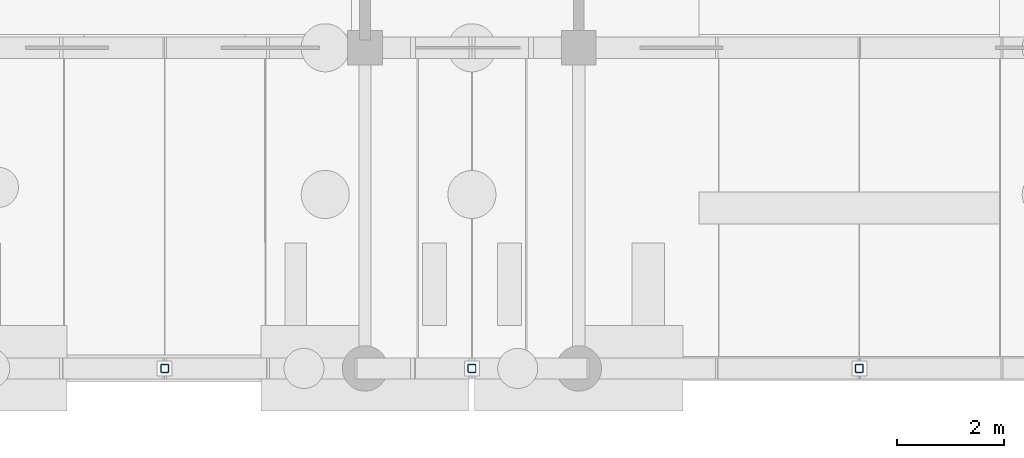
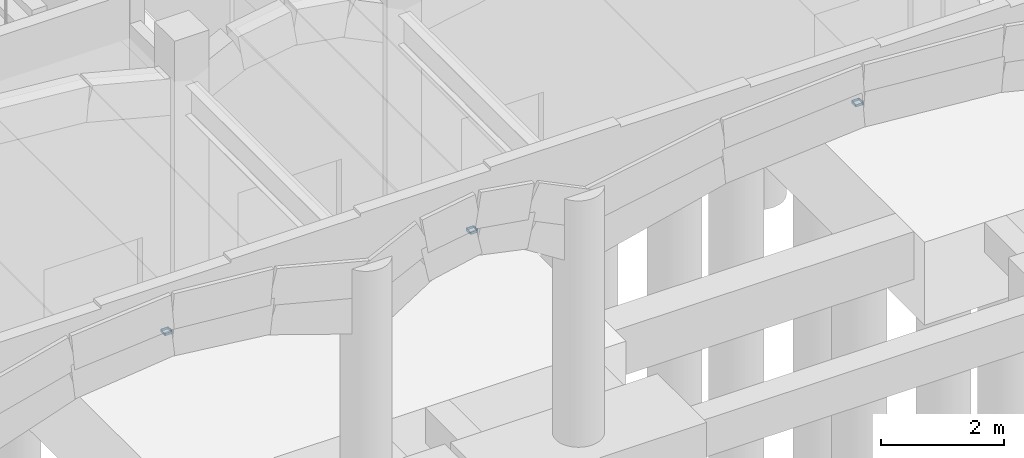
# One storey, part 21 of 60: 3 members.
"""IFC4 building model written with IfcOpenShell, lengths in metres."""

from ifc_helpers import new_model, si_unit, direction, frame, origin, origin_2d, place, context, subcontext, project, spatial, hollow_rectangle, extrude, material, material_profile, profile_set, type_object, element, save


model = new_model("IFC4")

# Units and contexts
model_context = context("Model", 3, precision=1e-05, world=origin(), true_north=direction((0.0, 1.0)))
body_context = subcontext(model_context, "Body", "Model", "MODEL_VIEW")
ifc_project = project(units=[si_unit("LENGTHUNIT", "METRE"), si_unit("AREAUNIT", "SQUARE_METRE"), si_unit("VOLUMEUNIT", "CUBIC_METRE"), si_unit("PLANEANGLEUNIT", "RADIAN"), si_unit("MASSUNIT", "GRAM", prefix="KILO")], contexts=[model_context])

# Site, building, storey
site_placement = place(None, origin())
site = spatial("IfcSite", under=ifc_project, at=site_placement, CompositionType="ELEMENT")
building_placement = place(site_placement, origin())
building = spatial("IfcBuilding", under=site, at=building_placement, Name="Trellovar Central Fire Station", CompositionType="ELEMENT")
storey_placement = place(building_placement, origin())
storey = spatial("IfcBuildingStorey", under=building, at=storey_placement, Name="L01", CompositionType="ELEMENT", Elevation=0.0)

# Members
ifc_material = material(Name="Steel ASTM A500 Grade C", Category="steel")
ifc_material_profile = material_profile(ifc_material, hollow_rectangle(XDim=0.15234375, YDim=0.15234375, WallThickness=0.0087890625, InnerFilletRadius=0.0087890625, OuterFilletRadius=0.017822265625, at=origin_2d()), Name="HSS6X6X3/8")
ifc_profile_set = profile_set([ifc_material_profile], Name="Steel ASTM A500 Grade C")
member_type = type_object("IfcMemberType", Name="MEM-ST1", PredefinedType="STRUT", material=ifc_profile_set)
for number, where, z_axis, x_axis, name in (
    (1, (4.75, 3.0, 4.75), (0.0, 0.0, -1.0), (1.0, 0.0, 0.0), "West boulevard parabolic arcade arch 1 keystone post"),
    (2, (10.5, 3.0, 4.75), (0.0, 0.0, -1.0), (1.0, 0.0, 0.0), "West boulevard parabolic arcade arch 2 keystone post"),
    (3, (17.75, 3.0, 4.75), (0.0, 0.0, -1.0), (1.0, 0.0, 0.0), "West boulevard parabolic arcade arch 3 keystone post"),
):
    element("IfcMember", number, at=place(storey_placement, frame(where, z_axis=z_axis, x_axis=x_axis)), inside=storey, type_object=member_type, Name=name, PredefinedType="STRUT", context=body_context, shape_type="SweptSolid", body=[
        extrude(hollow_rectangle(XDim=0.15234375, YDim=0.15234375, WallThickness=0.0087890625, InnerFilletRadius=0.0087890625, OuterFilletRadius=0.017822265625, at=origin_2d()), origin(), (0.0, 0.0, 1.0), 0.050048828125),
    ])

save(model, "model.ifc")
